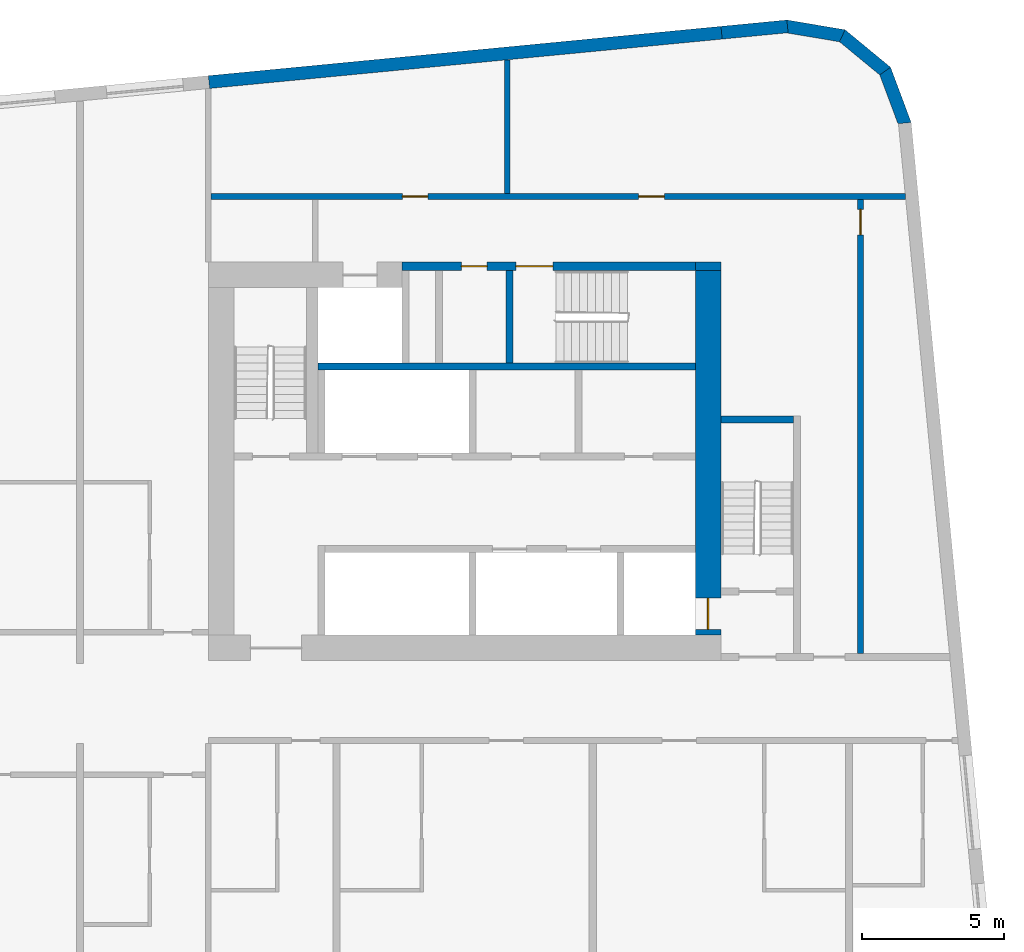
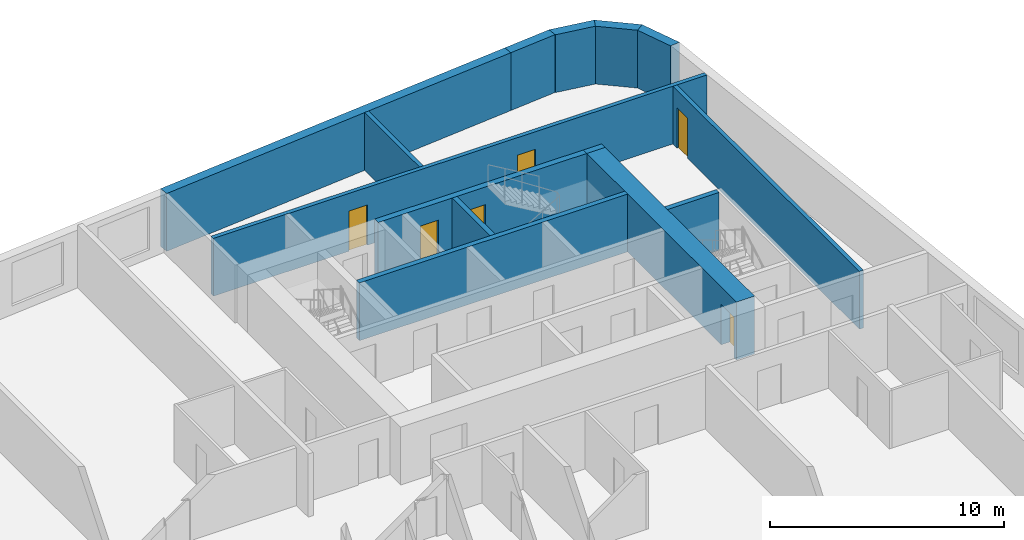
# One storey, part 8 of 12: 14 walls, 6 doors, 6 openings.
"""IFC4 building model written with IfcOpenShell, lengths in metres."""

from ifc_helpers import new_model, si_unit, direction, frame, frame_2d, origin, place, context, subcontext, project, spatial, polyline, rectangle, outline, extrude, material, layer, layer_set, type_object, element, fill, save


model = new_model("IFC4")

# Units and contexts
model_context = context("Model", 3, precision=1e-05, world=origin(), true_north=direction((0.0, 1.0)))
body_context = subcontext(model_context, "Body", "Model", "MODEL_VIEW")
ifc_project = project(units=[si_unit("LENGTHUNIT", "METRE"), si_unit("AREAUNIT", "SQUARE_METRE"), si_unit("VOLUMEUNIT", "CUBIC_METRE"), si_unit("PLANEANGLEUNIT", "RADIAN"), si_unit("MASSUNIT", "GRAM", prefix="KILO")], contexts=[model_context])

# Site, building, storey
site_placement = place(None, origin())
site = spatial("IfcSite", under=ifc_project, at=site_placement, CompositionType="ELEMENT")
building_placement = place(site_placement, origin())
building = spatial("IfcBuilding", under=site, at=building_placement, Name="Kajstack Hotel Tower", CompositionType="ELEMENT")
storey_placement = place(building_placement, frame((0.0, 0.0, 183.39990234375)))
storey = spatial("IfcBuildingStorey", under=building, at=storey_placement, Name="L43", CompositionType="ELEMENT", Elevation=183.39990234375)

# Wall
ifc_material_1 = material(Name="Concrete C60/75", Category="concrete")
ifc_layer_1 = layer(ifc_material_1, 0.89990234375)
ifc_layer_set_1 = layer_set([ifc_layer_1], Name="Core wall 900")
wall_type_1 = type_object("IfcWallType", Name="Core wall 900", PredefinedType="SHEAR", material=ifc_layer_set_1)
wall_1_placement = place(storey_placement, frame((30.60009765625, 15.35009765625, 0.0), z_axis=(0.0, 0.0, 1.0), x_axis=(1.0, 0.0, 0.0)))
element("IfcWall", 1, at=wall_1_placement, inside=storey, type_object=wall_type_1, Name="Core wall E RSW", PredefinedType="SHEAR", context=body_context, shape_type="SweptSolid", body=[
    extrude(rectangle(XDim=0.89990234375, YDim=0.300048828125, at=frame_2d((0.449951171875, 0.0))), origin(), (0.0, 0.0, 1.0), 3.02001953125),
])

# Wall, opening, door
wall_2_placement = place(storey_placement, frame((31.050048828125, 2.39990234375, 0.0), z_axis=(0.0, 0.0, 1.0), x_axis=(0.0, 1.0, 0.0)))
wall_2 = element("IfcWall", 2, at=wall_2_placement, inside=storey, type_object=wall_type_1, Name="Core wall E RW", PredefinedType="SHEAR", context=body_context, shape_type="SweptSolid", body=[
    extrude(rectangle(XDim=12.800048828125, YDim=0.89990234375, at=frame_2d((6.39990234375, 0.0))), origin(), (0.0, 0.0, 1.0), 3.02001953125),
])
opening_1_placement = place(wall_2_placement, frame((0.199951171875, 0.0, 0.0)))
opening_1 = element("IfcOpeningElement", 3, at=opening_1_placement, cuts=wall_2, Name="Opening LD-FF2", PredefinedType="OPENING", context=body_context, shape_type="SweptSolid", body=[
    extrude(rectangle(XDim=1.10009765625, YDim=2.10009765625, at=frame_2d((0.550048828125, 1.050048828125))), frame((0.0, 0.4599609375, 0.0), z_axis=(0.0, -1.0, 0.0), x_axis=(1.0, 0.0, 0.0)), (0.0, 0.0, 1.0), 0.919921875),
])
ifc_material_2 = material(Name="Stainless steel", Category="steel")
door_type_1 = type_object("IfcDoorType", Name="Fire-fighting lift landing door 1100", OperationType="SLIDING_TO_LEFT", PredefinedType="DOOR", material=ifc_material_2)
door_1_placement = place(opening_1_placement, origin())
door_1 = element("IfcDoor", 4, at=door_1_placement, inside=storey, type_object=door_type_1, Name="Landing door FF2", OperationType="SLIDING_TO_LEFT", OverallHeight=2.10009765625, OverallWidth=1.10009765625, PredefinedType="DOOR", context=body_context, shape_type="SweptSolid", body=[
    extrude(rectangle(XDim=1.10009765625, YDim=2.10009765625, at=frame_2d((0.550048828125, 1.050048828125))), frame((0.0, 0.02490234375, 0.0), z_axis=(0.0, -1.0, 0.0), x_axis=(1.0, 0.0, 0.0)), (0.0, 0.0, 1.0), 0.050048828125),
])
fill(opening_1, door_1)

# Walls
ifc_material_3 = material(Name="Concrete C40/50", Category="concrete")
ifc_layer_2 = layer(ifc_material_3, 0.449951171875)
ifc_layer_set_2 = layer_set([ifc_layer_2], Name="EW-CORE")
wall_type_2 = type_object("IfcWallType", Name="EW-CORE", PredefinedType="SOLIDWALL", material=ifc_layer_set_2)
wall_3_placement = place(storey_placement, frame((31.521484375, 23.55078125, 0.0), z_axis=(0.0, 0.0, 1.0), x_axis=(-0.995395166513, -0.095856468129, 0.0)))
element("IfcWall", 5, at=wall_3_placement, inside=storey, type_object=wall_type_2, Name="E-wall-L43-12-01", PredefinedType="SOLIDWALL", context=body_context, shape_type="SweptSolid", body=[
    extrude(rectangle(XDim=18.083251953125, YDim=0.449951171875, at=frame_2d((9.04150390625, 0.0))), origin(), (0.0, 0.0, 1.0), 3.02001953125),
])
ifc_material_4 = material(Name="Terracotta-faced brick masonry", Category="masonry")
ifc_layer_3 = layer(ifc_material_4, 0.449951171875)
ifc_layer_set_3 = layer_set([ifc_layer_3], Name="EW-TERRA")
wall_type_3 = type_object("IfcWallType", Name="EW-TERRA", PredefinedType="SOLIDWALL", material=ifc_layer_set_3)
wall_4_placement = place(storey_placement, frame((37.96875, 20.320556640625, 0.0), z_axis=(0.0, 0.0, 1.0), x_axis=(-0.350192909346, 0.936677599948, 0.0)))
element("IfcWall", 6, at=wall_4_placement, inside=storey, type_object=wall_type_3, Name="E-wall-L43-09-00", PredefinedType="SOLIDWALL", context=body_context, shape_type="SweptSolid", body=[
    extrude(outline(polyline([(0.0, -0.22509765625), (2.070556640625, -0.22509765625), (1.949951171875, 0.22509765625), (0.12060546875, 0.224853515625), (0.0, -0.22509765625)])), origin(), (0.0, 0.0, 1.0), 3.02001953125),
])
wall_5_placement = place(storey_placement, frame((37.311279296875, 22.165283203125, 0.0), z_axis=(0.0, 0.0, 1.0), x_axis=(-0.771651049663, 0.636046112757, 0.0)))
element("IfcWall", 7, at=wall_5_placement, inside=storey, type_object=wall_type_3, Name="E-wall-L43-10-00", PredefinedType="SOLIDWALL", context=body_context, shape_type="SweptSolid", body=[
    extrude(outline(polyline([(0.0, -0.224853515625), (2.0703125, -0.22509765625), (1.94970703125, 0.224853515625), (0.12060546875, 0.22509765625), (0.0, -0.224853515625)])), origin(), (0.0, 0.0, 1.0), 3.02001953125),
])
wall_6_placement = place(storey_placement, frame((35.819580078125, 23.433837890625, 0.0), z_axis=(0.0, 0.0, 1.0), x_axis=(-0.986278951104, 0.165087342366, 0.0)))
element("IfcWall", 8, at=wall_6_placement, inside=storey, type_object=wall_type_3, Name="E-wall-L43-11-00", PredefinedType="SOLIDWALL", context=body_context, shape_type="SweptSolid", body=[
    extrude(outline(polyline([(0.0, -0.22509765625), (2.070556640625, -0.224853515625), (1.949951171875, 0.22509765625), (0.12060546875, 0.224853515625), (0.0, -0.22509765625)])), origin(), (0.0, 0.0, 1.0), 3.02001953125),
])
wall_7_placement = place(storey_placement, frame((33.836181640625, 23.7734375, 0.0), z_axis=(0.0, 0.0, 1.0), x_axis=(-0.995405373555, -0.095750416695, 0.0)))
element("IfcWall", 9, at=wall_7_placement, inside=storey, type_object=wall_type_3, Name="E-wall-L43-12-00", PredefinedType="SOLIDWALL", context=body_context, shape_type="SweptSolid", body=[
    extrude(rectangle(XDim=2.325439453125, YDim=0.449951171875, at=frame_2d((1.16259765625, 0.0))), origin(), (0.0, 0.0, 1.0), 3.02001953125),
])

# Wall, opening, door
ifc_material_5 = material(Name="Gypsum board on steel studs, mineral wool", Category="steel")
ifc_layer_4 = layer(ifc_material_5, 0.199951171875)
ifc_layer_set_4 = layer_set([ifc_layer_4], Name="Service partition 200")
wall_type_4 = type_object("IfcWallType", Name="Service partition 200", PredefinedType="PARTITIONING", material=ifc_layer_set_4)
wall_8_placement = place(storey_placement, frame((36.39990234375, 1.75, 0.0), z_axis=(0.0, 0.0, 1.0), x_axis=(0.0, 1.0, 0.0)))
wall_8 = element("IfcWall", 10, at=wall_8_placement, inside=storey, type_object=wall_type_4, Name="Partition E WRE", PredefinedType="PARTITIONING", context=body_context, shape_type="SweptSolid", body=[
    extrude(rectangle(XDim=15.949951171875, YDim=0.199951171875, at=frame_2d((7.97509765625, 0.0))), origin(), (0.0, 0.0, 1.0), 3.02001953125),
])
opening_2_placement = place(wall_8_placement, frame((14.699951171875, 0.0, 0.0)))
opening_2 = element("IfcOpeningElement", 11, at=opening_2_placement, cuts=wall_8, Name="Opening 43E18", PredefinedType="OPENING", context=body_context, shape_type="SweptSolid", body=[
    extrude(rectangle(XDim=0.89990234375, YDim=2.10009765625, at=frame_2d((0.449951171875, 1.050048828125))), frame((0.0, 0.10986328125, 0.0), z_axis=(0.0, -1.0, 0.0), x_axis=(1.0, 0.0, 0.0)), (0.0, 0.0, 1.0), 0.219970703125),
])
ifc_material_6 = material(Name="Timber leaf, fire-rated", Category="wood")
door_type_2 = type_object("IfcDoorType", Name="Service door 900", OperationType="SINGLE_SWING_LEFT", PredefinedType="DOOR", material=ifc_material_6)
door_2_placement = place(opening_2_placement, origin())
door_2 = element("IfcDoor", 12, at=door_2_placement, inside=storey, type_object=door_type_2, Name="Door 43E18", OperationType="SINGLE_SWING_RIGHT", OverallHeight=2.10009765625, OverallWidth=0.89990234375, PredefinedType="DOOR", context=body_context, shape_type="SweptSolid", body=[
    extrude(rectangle(XDim=0.89990234375, YDim=2.10009765625, at=frame_2d((0.449951171875, 1.050048828125))), frame((0.0, 0.02490234375, 0.0), z_axis=(0.0, -1.0, 0.0), x_axis=(1.0, 0.0, 0.0)), (0.0, 0.0, 1.0), 0.050048828125),
])
fill(opening_2, door_2)

# Wall, openings, doors
wall_9_placement = place(storey_placement, frame((13.60009765625, 17.800048828125, 0.0), z_axis=(0.0, 0.0, 1.0), x_axis=(1.0, 0.0, 0.0)))
wall_9 = element("IfcWall", 13, at=wall_9_placement, inside=storey, type_object=wall_type_4, Name="Partition E SLN", PredefinedType="PARTITIONING", context=body_context, shape_type="SweptSolid", body=[
    extrude(rectangle(XDim=24.377685546875, YDim=0.199951171875, at=frame_2d((12.18896484375, 0.0))), origin(), (0.0, 0.0, 1.0), 3.02001953125),
])
opening_3_placement = place(wall_9_placement, frame((15.012451171875, 0.0, 0.0)))
opening_3 = element("IfcOpeningElement", 14, at=opening_3_placement, cuts=wall_9, Name="Opening 43E16", PredefinedType="OPENING", context=body_context, shape_type="SweptSolid", body=[
    extrude(rectangle(XDim=0.89990234375, YDim=2.10009765625, at=frame_2d((0.449951171875, 1.050048828125))), frame((0.0, 0.10986328125, 0.0), z_axis=(0.0, -1.0, 0.0), x_axis=(1.0, 0.0, 0.0)), (0.0, 0.0, 1.0), 0.219970703125),
])
opening_4_placement = place(wall_9_placement, frame((6.71240234375, 0.0, 0.0)))
opening_4 = element("IfcOpeningElement", 15, at=opening_4_placement, cuts=wall_9, Name="Opening 43E17", PredefinedType="OPENING", context=body_context, shape_type="SweptSolid", body=[
    extrude(rectangle(XDim=0.89990234375, YDim=2.10009765625, at=frame_2d((0.449951171875, 1.050048828125))), frame((0.0, 0.10986328125, 0.0), z_axis=(0.0, -1.0, 0.0), x_axis=(1.0, 0.0, 0.0)), (0.0, 0.0, 1.0), 0.219970703125),
])
door_3_placement = place(opening_3_placement, origin())
door_3 = element("IfcDoor", 16, at=door_3_placement, inside=storey, type_object=door_type_2, Name="Door 43E16", OperationType="SINGLE_SWING_LEFT", OverallHeight=2.10009765625, OverallWidth=0.89990234375, PredefinedType="DOOR", context=body_context, shape_type="SweptSolid", body=[
    extrude(rectangle(XDim=0.89990234375, YDim=2.10009765625, at=frame_2d((0.449951171875, 1.050048828125))), frame((0.0, 0.02490234375, 0.0), z_axis=(0.0, -1.0, 0.0), x_axis=(1.0, 0.0, 0.0)), (0.0, 0.0, 1.0), 0.050048828125),
])
fill(opening_3, door_3)
door_4_placement = place(opening_4_placement, origin())
door_4 = element("IfcDoor", 17, at=door_4_placement, inside=storey, type_object=door_type_2, Name="Door 43E17", OperationType="SINGLE_SWING_LEFT", OverallHeight=2.10009765625, OverallWidth=0.89990234375, PredefinedType="DOOR", context=body_context, shape_type="SweptSolid", body=[
    extrude(rectangle(XDim=0.89990234375, YDim=2.10009765625, at=frame_2d((0.449951171875, 1.050048828125))), frame((0.0, 0.02490234375, 0.0), z_axis=(0.0, -1.0, 0.0), x_axis=(1.0, 0.0, 0.0)), (0.0, 0.0, 1.0), 0.050048828125),
])
fill(opening_4, door_4)

# Wall
wall_10_placement = place(storey_placement, frame((24.0, 17.89990234375, 0.0), z_axis=(0.0, 0.0, 1.0), x_axis=(0.0, 1.0, 0.0)))
element("IfcWall", 18, at=wall_10_placement, inside=storey, type_object=wall_type_4, Name="Partition E SLP0", PredefinedType="PARTITIONING", context=body_context, shape_type="SweptSolid", body=[
    extrude(rectangle(XDim=4.701416015625, YDim=0.199951171875, at=frame_2d((2.3505859375, 0.0))), origin(), (0.0, 0.0, 1.0), 3.02001953125),
])

# Wall, openings, doors
ifc_material_7 = material(Name="Concrete C50/60", Category="concrete")
ifc_layer_5 = layer(ifc_material_7, 0.25)
ifc_layer_set_5 = layer_set([ifc_layer_5], Name="Shaft wall 250")
wall_type_5 = type_object("IfcWallType", Name="Shaft wall 250", PredefinedType="SHEAR", material=ifc_layer_set_5)
wall_11_placement = place(storey_placement, frame((20.300048828125, 15.35009765625, 0.0), z_axis=(0.0, 0.0, 1.0), x_axis=(1.0, 0.0, 0.0)))
wall_11 = element("IfcWall", 19, at=wall_11_placement, inside=storey, type_object=wall_type_5, Name="Core wall E RSS", PredefinedType="SHEAR", context=body_context, shape_type="SweptSolid", body=[
    extrude(rectangle(XDim=10.300048828125, YDim=0.300048828125, at=frame_2d((5.14990234375, 0.0))), origin(), (0.0, 0.0, 1.0), 3.02001953125),
])
opening_5_placement = place(wall_11_placement, frame((4.0, 0.0, 0.0)))
opening_5 = element("IfcOpeningElement", 20, at=opening_5_placement, cuts=wall_11, Name="Opening 43E12", PredefinedType="OPENING", context=body_context, shape_type="SweptSolid", body=[
    extrude(rectangle(XDim=1.300048828125, YDim=2.10009765625, at=frame_2d((0.64990234375, 1.050048828125))), frame((0.0, 0.159912109375, 0.0), z_axis=(0.0, -1.0, 0.0), x_axis=(1.0, 0.0, 0.0)), (0.0, 0.0, 1.0), 0.320068359375),
])
opening_6_placement = place(wall_11_placement, frame((2.08740234375, 0.0, 0.0)))
opening_6 = element("IfcOpeningElement", 21, at=opening_6_placement, cuts=wall_11, Name="Opening 43E13", PredefinedType="OPENING", context=body_context, shape_type="SweptSolid", body=[
    extrude(rectangle(XDim=0.89990234375, YDim=2.10009765625, at=frame_2d((0.449951171875, 1.050048828125))), frame((0.0, 0.159912109375, 0.0), z_axis=(0.0, -1.0, 0.0), x_axis=(1.0, 0.0, 0.0)), (0.0, 0.0, 1.0), 0.320068359375),
])
door_5_placement = place(opening_6_placement, origin())
door_5 = element("IfcDoor", 22, at=door_5_placement, inside=storey, type_object=door_type_2, Name="Door 43E13", OperationType="SINGLE_SWING_RIGHT", OverallHeight=2.10009765625, OverallWidth=0.89990234375, PredefinedType="DOOR", context=body_context, shape_type="SweptSolid", body=[
    extrude(rectangle(XDim=0.89990234375, YDim=2.10009765625, at=frame_2d((0.449951171875, 1.050048828125))), frame((0.0, 0.02490234375, 0.0), z_axis=(0.0, -1.0, 0.0), x_axis=(1.0, 0.0, 0.0)), (0.0, 0.0, 1.0), 0.050048828125),
])
fill(opening_6, door_5)
ifc_material_8 = material(Name="Steel leaf, fire-rated", Category="steel")
door_type_3 = type_object("IfcDoorType", Name="Stair door 1300", OperationType="SINGLE_SWING_LEFT", PredefinedType="DOOR", material=ifc_material_8)
door_6_placement = place(opening_5_placement, origin())
door_6 = element("IfcDoor", 23, at=door_6_placement, inside=storey, type_object=door_type_3, Name="Door 43E12", OperationType="SINGLE_SWING_LEFT", OverallHeight=2.10009765625, OverallWidth=1.300048828125, PredefinedType="DOOR", context=body_context, shape_type="SweptSolid", body=[
    extrude(rectangle(XDim=1.300048828125, YDim=2.10009765625, at=frame_2d((0.64990234375, 1.050048828125))), frame((0.0, 0.02490234375, 0.0), z_axis=(0.0, -1.0, 0.0), x_axis=(1.0, 0.0, 0.0)), (0.0, 0.0, 1.0), 0.050048828125),
])
fill(opening_5, door_6)

# Walls
wall_12_placement = place(storey_placement, frame((17.35009765625, 11.824951171875, 0.0), z_axis=(0.0, 0.0, 1.0), x_axis=(1.0, 0.0, 0.0)))
element("IfcWall", 24, at=wall_12_placement, inside=storey, type_object=wall_type_5, Name="Core wall E RB", PredefinedType="SHEAR", context=body_context, shape_type="SweptSolid", body=[
    extrude(rectangle(XDim=13.25, YDim=0.25, at=frame_2d((6.625, 0.0))), origin(), (0.0, 0.0, 1.0), 3.02001953125),
])
ifc_layer_6 = layer(ifc_material_3, 0.25)
ifc_layer_set_6 = layer_set([ifc_layer_6], Name="Stair enclosure wall 250")
wall_type_6 = type_object("IfcWallType", Name="Stair enclosure wall 250", PredefinedType="SHEAR", material=ifc_layer_set_6)
wall_13_placement = place(storey_placement, frame((31.5, 9.97509765625, 0.0), z_axis=(0.0, 0.0, 1.0), x_axis=(1.0, 0.0, 0.0)))
element("IfcWall", 25, at=wall_13_placement, inside=storey, type_object=wall_type_6, Name="Core wall E W1S", PredefinedType="SHEAR", context=body_context, shape_type="SweptSolid", body=[
    extrude(rectangle(XDim=2.550048828125, YDim=0.25, at=frame_2d((1.27490234375, 0.0))), origin(), (0.0, 0.0, 1.0), 3.02001953125),
])
ifc_layer_7 = layer(ifc_material_7, 0.35009765625)
ifc_layer_set_7 = layer_set([ifc_layer_7], Name="Stair enclosure wall 350")
wall_type_7 = type_object("IfcWallType", Name="Stair enclosure wall 350", PredefinedType="SHEAR", material=ifc_layer_set_7)
wall_14_placement = place(storey_placement, frame((24.074951171875, 11.949951171875, 0.0), z_axis=(0.0, 0.0, 1.0), x_axis=(0.0, 1.0, 0.0)))
element("IfcWall", 26, at=wall_14_placement, inside=storey, type_object=wall_type_7, Name="Core wall E W3E", PredefinedType="SHEAR", context=body_context, shape_type="SweptSolid", body=[
    extrude(rectangle(XDim=3.25, YDim=0.25, at=frame_2d((1.625, 0.0))), origin(), (0.0, 0.0, 1.0), 3.02001953125),
])

save(model, "model.ifc")
